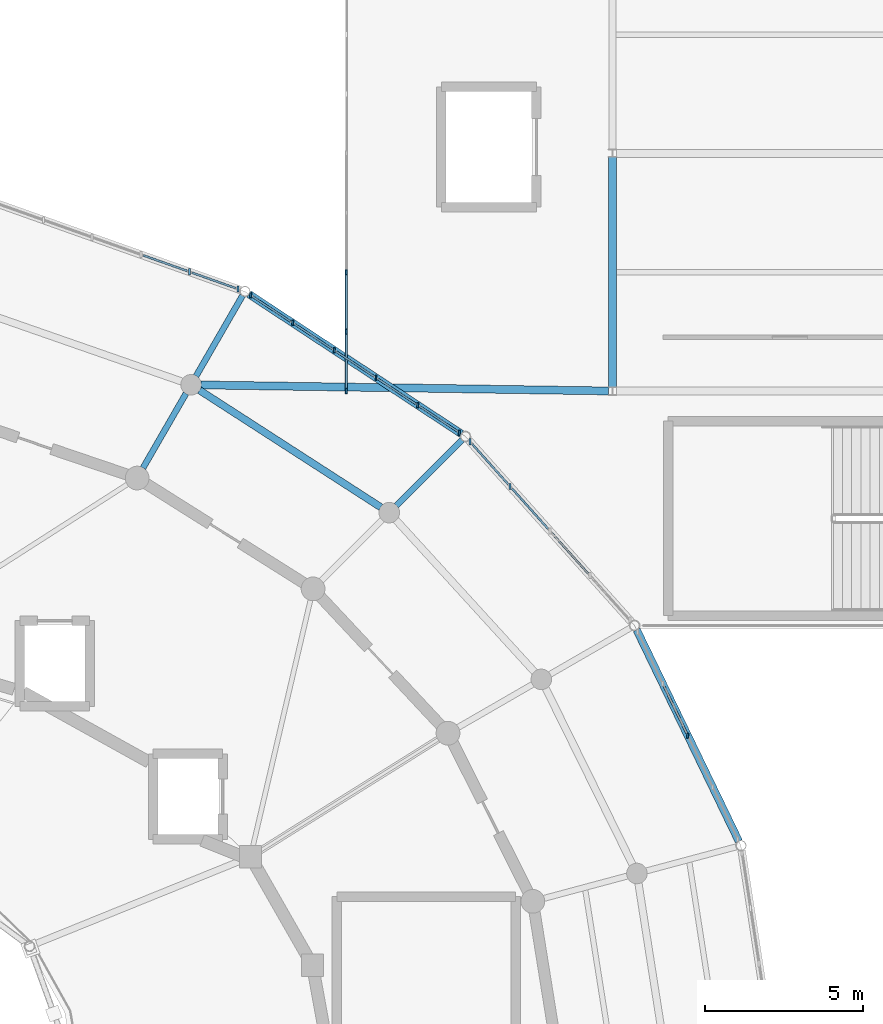
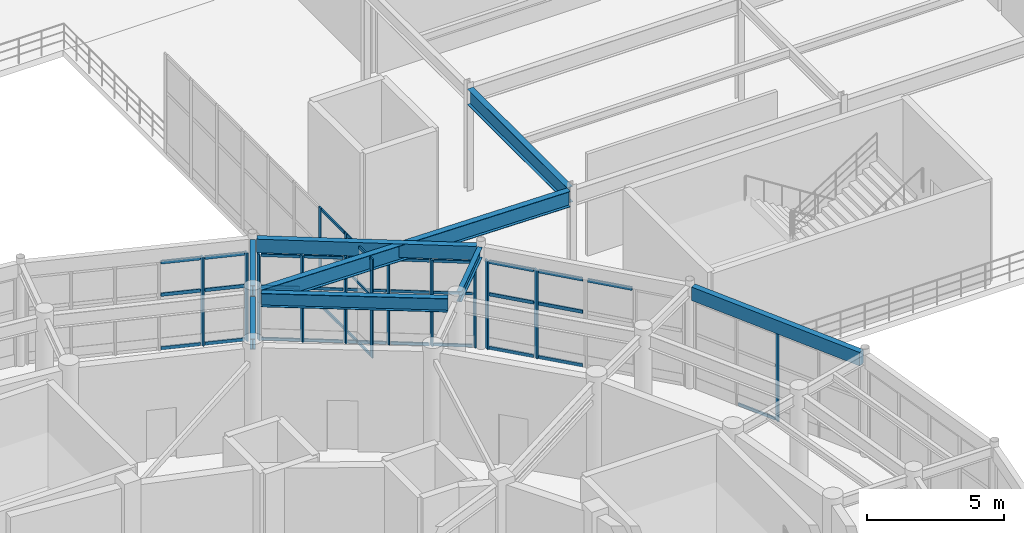
# One storey, part 75 of 144: 49 members, 8 beams, 5 elements without a shape of their own.
"""IFC4 building model written with IfcOpenShell, lengths in metres."""

from ifc_helpers import new_model, si_unit, direction, frame, origin, origin_2d, place, context, subcontext, project, spatial, rectangle, i_section, extrude, material, material_profile, profile_set, type_object, element, aggregate, save


model = new_model("IFC4")

# Units and contexts
model_context = context("Model", 3, precision=1e-05, world=origin(), true_north=direction((0.0, 1.0)))
body_context = subcontext(model_context, "Body", "Model", "MODEL_VIEW")
ifc_project = project(units=[si_unit("LENGTHUNIT", "METRE"), si_unit("AREAUNIT", "SQUARE_METRE"), si_unit("VOLUMEUNIT", "CUBIC_METRE"), si_unit("PLANEANGLEUNIT", "RADIAN"), si_unit("MASSUNIT", "GRAM", prefix="KILO")], contexts=[model_context])

# Site, building, storey
site_placement = place(None, origin())
site = spatial("IfcSite", under=ifc_project, at=site_placement, CompositionType="ELEMENT")
building_placement = place(site_placement, origin())
building = spatial("IfcBuilding", under=site, at=building_placement, Name="Cinderbank Siding Concert Hall", CompositionType="ELEMENT")
storey_placement = place(building_placement, frame((0.0, 0.0, 5.39990234375)))
storey = spatial("IfcBuildingStorey", under=building, at=storey_placement, Name="L02", CompositionType="ELEMENT", Elevation=5.39990234375)

# Beams
ifc_material_1 = material(Name="Structural steel AS/NZS 3679.1 Grade 350 (340 MPa)", Category="steel")
ifc_material_profile_1 = material_profile(ifc_material_1, i_section(OverallWidth=0.19091796875, OverallDepth=0.46044921875, WebThickness=0.010009765625, FlangeThickness=0.01611328125, at=origin_2d()), Name="460UB82.1", Category="LoadBearing")
ifc_profile_set_1 = profile_set([ifc_material_profile_1], Name="Structural steel AS/NZS 3679.1 Grade 350 (340 MPa)")
beam_type_1 = type_object("IfcBeamType", Name="BM-UB460H 460UB82.1", PredefinedType="BEAM", material=ifc_profile_set_1)
beam_1_placement = place(storey_placement, frame((135.58349609375, 63.370361328125, 4.2919921875), z_axis=(0.499987022033, 0.866032896488, 0.0), x_axis=(-0.866032896488, 0.499987022033, 0.0)))
element("IfcBeam", 1, at=beam_1_placement, inside=storey, type_object=beam_type_1, Name="L02 Beam BM-UB460H #502", PredefinedType="BEAM", context=body_context, shape_type="SweptSolid", body=[
    extrude(i_section(OverallWidth=0.19091796875, OverallDepth=0.46044921875, WebThickness=0.010009765625, FlangeThickness=0.01611328125, at=origin_2d()), origin(), (0.0, 0.0, 1.0), 2.7158203125),
])
for number, where, z_axis, x_axis, name in (
    (2, (143.578857421875, 62.184814453125, 4.331787109375), (0.707106781187, 0.707106781187, 0.0), (-0.707106781187, 0.707106781187, 0.0), "L02 Beam BM-UB460H #524"),
    (3, (137.258544921875, 66.271484375, 4.331787109375), (0.499958157915, 0.866049559976, 0.0), (-0.866049559976, 0.499958157915, 0.0), "L02 Beam BM-UB460H #525"),
):
    element("IfcBeam", number, at=place(storey_placement, frame(where, z_axis=z_axis, x_axis=x_axis)), inside=storey, type_object=beam_type_1, Name=name, PredefinedType="BEAM", context=body_context, shape_type="SweptSolid", body=[
        extrude(i_section(OverallWidth=0.19091796875, OverallDepth=0.46044921875, WebThickness=0.010009765625, FlangeThickness=0.01611328125, at=origin_2d()), origin(), (0.0, 0.0, 1.0), 2.928955078125),
    ])
ifc_material_profile_2 = material_profile(ifc_material_1, i_section(OverallWidth=0.22802734375, OverallDepth=0.60693359375, WebThickness=0.01123046875, FlangeThickness=0.017333984375, at=origin_2d()), Name="610UB113", Category="LoadBearing")
ifc_profile_set_2 = profile_set([ifc_material_profile_2], Name="Structural steel AS/NZS 3679.1 Grade 350 (340 MPa)")
beam_type_2 = type_object("IfcBeamType", Name="BM-UB610M 610UB113", PredefinedType="BEAM", material=ifc_profile_set_2)
beam_2_placement = place(storey_placement, frame((143.08837890625, 62.13232421875, 4.218505859375), z_axis=(-0.840219727246, 0.542246078775, 0.0), x_axis=(-0.542246078775, -0.840219727246, 0.0)))
element("IfcBeam", 4, at=beam_2_placement, inside=storey, type_object=beam_type_2, Name="L02 Beam BM-UB610M #443", PredefinedType="BEAM", context=body_context, shape_type="SweptSolid", body=[
    extrude(i_section(OverallWidth=0.22802734375, OverallDepth=0.60693359375, WebThickness=0.01123046875, FlangeThickness=0.017333984375, at=origin_2d()), origin(), (0.0, 0.0, 1.0), 6.810302734375),
])
ifc_material_2 = material(Name="Structural steel welded plate section AS/NZS 3679.2 / AS/NZS 3678 Grade 350 (340 MPa)", Category="steel")
ifc_material_profile_3 = material_profile(ifc_material_2, i_section(OverallWidth=0.25, OverallDepth=0.699951171875, WebThickness=0.010009765625, FlangeThickness=0.01611328125, at=origin_2d()), Name="700WB130", Category="LoadBearing")
ifc_profile_set_3 = profile_set([ifc_material_profile_3], Name="Structural steel welded plate section AS/NZS 3679.2 / AS/NZS 3678 Grade 350 (340 MPa)")
beam_type_3 = type_object("IfcBeamType", Name="BM-WB700 700WB130", PredefinedType="BEAM", material=ifc_profile_set_3)
beam_3_placement = place(storey_placement, frame((137.4169921875, 65.9921875, 4.2021484375), z_axis=(0.99989044935, -0.014801665379, 0.0), x_axis=(0.014801665379, 0.99989044935, 0.0)))
element("IfcBeam", 5, at=beam_3_placement, inside=storey, type_object=beam_type_3, Name="L02 Beam BM-WB700 #1487", PredefinedType="BEAM", context=body_context, shape_type="SweptSolid", body=[
    extrude(i_section(OverallWidth=0.25, OverallDepth=0.699951171875, WebThickness=0.010009765625, FlangeThickness=0.01611328125, at=origin_2d()), origin(), (0.0, 0.0, 1.0), 12.865478515625),
])
beam_4_placement = place(storey_placement, frame((150.39990234375, 65.9189453125, 4.2021484375), z_axis=(0.0, 1.0, 0.0), x_axis=(-1.0, 0.0, 0.0)))
element("IfcBeam", 6, at=beam_4_placement, inside=storey, type_object=beam_type_3, Name="L02 Beam BM-WB700 #1620", PredefinedType="BEAM", context=body_context, shape_type="SweptSolid", body=[
    extrude(i_section(OverallWidth=0.25, OverallDepth=0.699951171875, WebThickness=0.010009765625, FlangeThickness=0.01611328125, at=origin_2d()), origin(), (0.0, 0.0, 1.0), 7.261962890625),
])

# Curtain wall, member
ifc_material_3 = material(Name="Anodised aluminium alloy 6063-T6", Category="aluminium")
curtain_wall_type_1 = type_object("IfcCurtainWallType", Name="CW-02 Unitised Acoustic Curtain Wall 7800x4400", PredefinedType="NOTDEFINED", material=ifc_material_3)
curtain_wall_1_placement = place(storey_placement, origin())
curtain_wall_1 = element("IfcCurtainWall", 7, at=curtain_wall_1_placement, inside=storey, type_object=curtain_wall_type_1, Name="L02 Curtain Wall CW-02 #2", PredefinedType="NOTDEFINED")
ifc_material_profile_4 = material_profile(ifc_material_3, rectangle(XDim=0.06005859375, YDim=0.159912109375, at=origin_2d()), Name="ALU-MULL-60x160", Category="LoadBearing")
ifc_profile_set_4 = profile_set([ifc_material_profile_4], Name="Anodised aluminium alloy 6063-T6")
member_type_1 = type_object("IfcMemberType", Name="CW-ML1 Mullion 60x160", PredefinedType="MULLION", material=ifc_profile_set_4)
member_1_placement = place(storey_placement, frame((152.77685546875, 54.927001953125, 0.0), z_axis=(0.0, 0.0, 1.0), x_axis=(1.0, 0.0, 0.0)))
member_1 = element("IfcMember", 8, at=member_1_placement, type_object=member_type_1, Name="CW-L02-002 Mullion 2", PredefinedType="MULLION", context=body_context, shape_type="SweptSolid", body=[
    extrude(rectangle(XDim=0.06005859375, YDim=0.159912109375, at=origin_2d()), origin(), (0.0, 0.0, 1.0), 3.93701171875),
])

# Curtain wall, members
curtain_wall_type_2 = type_object("IfcCurtainWallType", Name="CW-04 Unitised Acoustic Curtain Wall 7000x4400", PredefinedType="NOTDEFINED", material=ifc_material_3)
curtain_wall_2_placement = place(storey_placement, origin())
curtain_wall_2 = element("IfcCurtainWall", 9, at=curtain_wall_2_placement, inside=storey, type_object=curtain_wall_type_2, Name="L02 Curtain Wall CW-04 #4", PredefinedType="NOTDEFINED")
member_2_placement = place(storey_placement, frame((145.569091796875, 64.489501953125, 0.0), z_axis=(0.0, 0.0, 1.0), x_axis=(1.0, 0.0, 0.0)))
member_2 = element("IfcMember", 10, at=member_2_placement, type_object=member_type_1, Name="CW-L02-004 Mullion 0", PredefinedType="MULLION", context=body_context, shape_type="SweptSolid", body=[
    extrude(rectangle(XDim=0.06005859375, YDim=0.159912109375, at=origin_2d()), origin(), (0.0, 0.0, 1.0), 3.837158203125),
])
member_3_placement = place(storey_placement, frame((144.25341796875, 65.35498046875, 0.0), z_axis=(0.0, 0.0, 1.0), x_axis=(1.0, 0.0, 0.0)))
member_3 = element("IfcMember", 11, at=member_3_placement, type_object=member_type_1, Name="CW-L02-004 Mullion 1", PredefinedType="MULLION", context=body_context, shape_type="SweptSolid", body=[
    extrude(rectangle(XDim=0.06005859375, YDim=0.159912109375, at=origin_2d()), origin(), (0.0, 0.0, 1.0), 3.837158203125),
])
member_4_placement = place(storey_placement, frame((142.9375, 66.220458984375, 0.0), z_axis=(0.0, 0.0, 1.0), x_axis=(1.0, 0.0, 0.0)))
member_4 = element("IfcMember", 12, at=member_4_placement, type_object=member_type_1, Name="CW-L02-004 Mullion 2", PredefinedType="MULLION", context=body_context, shape_type="SweptSolid", body=[
    extrude(rectangle(XDim=0.06005859375, YDim=0.159912109375, at=origin_2d()), origin(), (0.0, 0.0, 1.0), 3.837158203125),
])
member_5_placement = place(storey_placement, frame((141.621337890625, 67.085693359375, 0.0), z_axis=(0.0, 0.0, 1.0), x_axis=(1.0, 0.0, 0.0)))
member_5 = element("IfcMember", 13, at=member_5_placement, type_object=member_type_1, Name="CW-L02-004 Mullion 3", PredefinedType="MULLION", context=body_context, shape_type="SweptSolid", body=[
    extrude(rectangle(XDim=0.06005859375, YDim=0.159912109375, at=origin_2d()), origin(), (0.0, 0.0, 1.0), 3.837158203125),
])
member_6_placement = place(storey_placement, frame((140.305419921875, 67.951416015625, 0.0), z_axis=(0.0, 0.0, 1.0), x_axis=(1.0, 0.0, 0.0)))
member_6 = element("IfcMember", 14, at=member_6_placement, type_object=member_type_1, Name="CW-L02-004 Mullion 4", PredefinedType="MULLION", context=body_context, shape_type="SweptSolid", body=[
    extrude(rectangle(XDim=0.06005859375, YDim=0.159912109375, at=origin_2d()), origin(), (0.0, 0.0, 1.0), 3.837158203125),
])
member_7_placement = place(storey_placement, frame((138.989501953125, 68.81689453125, 0.0), z_axis=(0.0, 0.0, 1.0), x_axis=(1.0, 0.0, 0.0)))
member_7 = element("IfcMember", 15, at=member_7_placement, type_object=member_type_1, Name="CW-L02-004 Mullion 5", PredefinedType="MULLION", context=body_context, shape_type="SweptSolid", body=[
    extrude(rectangle(XDim=0.06005859375, YDim=0.159912109375, at=origin_2d()), origin(), (0.0, 0.0, 1.0), 3.837158203125),
])

curtain_wall_type_3 = type_object("IfcCurtainWallType", Name="CW-16 Unitised Acoustic Curtain Wall 9200x3800", PredefinedType="NOTDEFINED", material=ifc_material_3)
curtain_wall_3_placement = place(storey_placement, origin())
curtain_wall_3 = element("IfcCurtainWall", 16, at=curtain_wall_3_placement, inside=storey, type_object=curtain_wall_type_3, Name="L02 Curtain Wall CW-16 #146", PredefinedType="NOTDEFINED")
member_8_placement = place(storey_placement, frame((142.0, 65.800048828125, 0.0), z_axis=(0.0, 0.0, 1.0), x_axis=(1.0, 0.0, 0.0)))
member_8 = element("IfcMember", 17, at=member_8_placement, type_object=member_type_1, Name="CW-L02-146 Mullion 0", PredefinedType="MULLION", context=body_context, shape_type="SweptSolid", body=[
    extrude(rectangle(XDim=0.06005859375, YDim=0.159912109375, at=origin_2d()), origin(), (0.0, 0.0, 1.0), 4.400146484375),
])
member_9_placement = place(storey_placement, frame((142.0, 67.675048828125, 0.0), z_axis=(0.0, 0.0, 1.0), x_axis=(1.0, 0.0, 0.0)))
member_9 = element("IfcMember", 18, at=member_9_placement, type_object=member_type_1, Name="CW-L02-146 Mullion 1", PredefinedType="MULLION", context=body_context, shape_type="SweptSolid", body=[
    extrude(rectangle(XDim=0.06005859375, YDim=0.159912109375, at=origin_2d()), origin(), (0.0, 0.0, 1.0), 4.400146484375),
])
member_10_placement = place(storey_placement, frame((142.0, 69.550048828125, 0.0), z_axis=(0.0, 0.0, 1.0), x_axis=(1.0, 0.0, 0.0)))
member_10 = element("IfcMember", 19, at=member_10_placement, type_object=member_type_1, Name="CW-L02-146 Mullion 2", PredefinedType="MULLION", context=body_context, shape_type="SweptSolid", body=[
    extrude(rectangle(XDim=0.06005859375, YDim=0.159912109375, at=origin_2d()), origin(), (0.0, 0.0, 1.0), 4.400146484375),
])

curtain_wall_type_4 = type_object("IfcCurtainWallType", Name="CW-03 Unitised Acoustic Curtain Wall 7400x4400", PredefinedType="NOTDEFINED", material=ifc_material_3)
curtain_wall_4_placement = place(storey_placement, origin())
curtain_wall_4 = element("IfcCurtainWall", 20, at=curtain_wall_4_placement, inside=storey, type_object=curtain_wall_type_4, Name="L02 Curtain Wall CW-03 #3", PredefinedType="NOTDEFINED")
ifc_material_profile_5 = material_profile(ifc_material_3, rectangle(XDim=0.06494140625, YDim=0.199951171875, at=origin_2d()), Name="ALU-MULL-65x200", Category="LoadBearing")
ifc_profile_set_5 = profile_set([ifc_material_profile_5], Name="Anodised aluminium alloy 6063-T6")
member_type_2 = type_object("IfcMemberType", Name="CW-ML2 Mullion 65x200", PredefinedType="MULLION", material=ifc_profile_set_5)
member_11_placement = place(storey_placement, frame((147.16943359375, 62.7890625, 0.0), z_axis=(0.0, 0.0, 1.0), x_axis=(1.0, 0.0, 0.0)))
member_11 = element("IfcMember", 21, at=member_11_placement, type_object=member_type_2, Name="CW-L02-003 Mullion 3", PredefinedType="MULLION", context=body_context, shape_type="SweptSolid", body=[
    extrude(rectangle(XDim=0.06494140625, YDim=0.199951171875, at=origin_2d()), origin(), (0.0, 0.0, 1.0), 3.93701171875),
])
member_12_placement = place(storey_placement, frame((145.91015625, 64.195556640625, 0.0), z_axis=(0.0, 0.0, 1.0), x_axis=(1.0, 0.0, 0.0)))
member_12 = element("IfcMember", 22, at=member_12_placement, type_object=member_type_2, Name="CW-L02-003 Mullion 4", PredefinedType="MULLION", context=body_context, shape_type="SweptSolid", body=[
    extrude(rectangle(XDim=0.06494140625, YDim=0.199951171875, at=origin_2d()), origin(), (0.0, 0.0, 1.0), 3.93701171875),
])

curtain_wall_type_5 = type_object("IfcCurtainWallType", Name="CW-05 Unitised Acoustic Curtain Wall 8200x3800", PredefinedType="NOTDEFINED", material=ifc_material_3)
curtain_wall_5_placement = place(storey_placement, origin())
curtain_wall_5 = element("IfcCurtainWall", 23, at=curtain_wall_5_placement, inside=storey, type_object=curtain_wall_type_5, Name="L02 Curtain Wall CW-05 #5", PredefinedType="NOTDEFINED")
member_13_placement = place(storey_placement, frame((138.586181640625, 69.017333984375, 0.0), z_axis=(0.0, 0.0, 1.0), x_axis=(1.0, 0.0, 0.0)))
member_13 = element("IfcMember", 24, at=member_13_placement, type_object=member_type_2, Name="CW-L02-005 Mullion 0", PredefinedType="MULLION", context=body_context, shape_type="SweptSolid", body=[
    extrude(rectangle(XDim=0.06494140625, YDim=0.199951171875, at=origin_2d()), origin(), (0.0, 0.0, 1.0), 3.93701171875),
])
member_14_placement = place(storey_placement, frame((137.05078125, 69.5625, 0.0), z_axis=(0.0, 0.0, 1.0), x_axis=(1.0, 0.0, 0.0)))
member_14 = element("IfcMember", 25, at=member_14_placement, type_object=member_type_2, Name="CW-L02-005 Mullion 1", PredefinedType="MULLION", context=body_context, shape_type="SweptSolid", body=[
    extrude(rectangle(XDim=0.06494140625, YDim=0.199951171875, at=origin_2d()), origin(), (0.0, 0.0, 1.0), 3.93701171875),
])

# Member
ifc_material_profile_6 = material_profile(ifc_material_3, rectangle(XDim=0.06005859375, YDim=0.1201171875, at=origin_2d()), Name="ALU-TRAN-60x120", Category="LoadBearing")
ifc_profile_set_6 = profile_set([ifc_material_profile_6], Name="Anodised aluminium alloy 6063-T6")
member_type_3 = type_object("IfcMemberType", Name="CW-TR1 Transom 60x120", PredefinedType="USERDEFINED", material=ifc_profile_set_6)
member_15_placement = place(storey_placement, frame((152.7373046875, 55.0087890625, 0.06005859375), z_axis=(-0.435095962233, 0.900384086737, 0.0), x_axis=(-0.900384086737, -0.435095962233, 0.0)))
member_15 = element("IfcMember", 26, at=member_15_placement, type_object=member_type_3, Name="CW-L02-002 Transom 2-0", ObjectType="TRANSOM", PredefinedType="USERDEFINED", context=body_context, shape_type="SweptSolid", body=[
    extrude(rectangle(XDim=0.06005859375, YDim=0.1201171875, at=origin_2d()), origin(), (0.0, 0.0, 1.0), 1.63330078125),
])

aggregate(curtain_wall_1, [member_1, member_15])

member_16_placement = place(storey_placement, frame((145.50341796875, 64.53271484375, 0.06005859375), z_axis=(-0.835531529407, 0.549442502331, 0.0), x_axis=(-0.549442502331, -0.835531529407, 0.0)))
member_16 = element("IfcMember", 27, at=member_16_placement, type_object=member_type_3, Name="CW-L02-004 Transom 0-0", ObjectType="TRANSOM", PredefinedType="USERDEFINED", context=body_context, shape_type="SweptSolid", body=[
    extrude(rectangle(XDim=0.06005859375, YDim=0.1201171875, at=origin_2d()), origin(), (0.0, 0.0, 1.0), 1.41748046875),
])

member_17_placement = place(storey_placement, frame((145.50341796875, 64.53271484375, 2.37890625), z_axis=(-0.835531529407, 0.549442502331, 0.0), x_axis=(-0.549442502331, -0.835531529407, 0.0)))
member_17 = element("IfcMember", 28, at=member_17_placement, type_object=member_type_3, Name="CW-L02-004 Transom 0-1", ObjectType="TRANSOM", PredefinedType="USERDEFINED", context=body_context, shape_type="SweptSolid", body=[
    extrude(rectangle(XDim=0.06005859375, YDim=0.1201171875, at=origin_2d()), origin(), (0.0, 0.0, 1.0), 1.41748046875),
])

member_18_placement = place(storey_placement, frame((145.50341796875, 64.53271484375, 3.777099609375), z_axis=(-0.835531529407, 0.549442502331, 0.0), x_axis=(-0.549442502331, -0.835531529407, 0.0)))
member_18 = element("IfcMember", 29, at=member_18_placement, type_object=member_type_3, Name="CW-L02-004 Transom 0-2", ObjectType="TRANSOM", PredefinedType="USERDEFINED", context=body_context, shape_type="SweptSolid", body=[
    extrude(rectangle(XDim=0.06005859375, YDim=0.1201171875, at=origin_2d()), origin(), (0.0, 0.0, 1.0), 1.41748046875),
])

member_19_placement = place(storey_placement, frame((144.1875, 65.398193359375, 0.06005859375), z_axis=(-0.835531529407, 0.549442502331, 0.0), x_axis=(-0.549442502331, -0.835531529407, 0.0)))
member_19 = element("IfcMember", 30, at=member_19_placement, type_object=member_type_3, Name="CW-L02-004 Transom 1-0", ObjectType="TRANSOM", PredefinedType="USERDEFINED", context=body_context, shape_type="SweptSolid", body=[
    extrude(rectangle(XDim=0.06005859375, YDim=0.1201171875, at=origin_2d()), origin(), (0.0, 0.0, 1.0), 1.41748046875),
])

member_20_placement = place(storey_placement, frame((144.1875, 65.398193359375, 2.37890625), z_axis=(-0.835531529407, 0.549442502331, 0.0), x_axis=(-0.549442502331, -0.835531529407, 0.0)))
member_20 = element("IfcMember", 31, at=member_20_placement, type_object=member_type_3, Name="CW-L02-004 Transom 1-1", ObjectType="TRANSOM", PredefinedType="USERDEFINED", context=body_context, shape_type="SweptSolid", body=[
    extrude(rectangle(XDim=0.06005859375, YDim=0.1201171875, at=origin_2d()), origin(), (0.0, 0.0, 1.0), 1.41748046875),
])

member_21_placement = place(storey_placement, frame((144.1875, 65.398193359375, 3.777099609375), z_axis=(-0.835531529407, 0.549442502331, 0.0), x_axis=(-0.549442502331, -0.835531529407, 0.0)))
member_21 = element("IfcMember", 32, at=member_21_placement, type_object=member_type_3, Name="CW-L02-004 Transom 1-2", ObjectType="TRANSOM", PredefinedType="USERDEFINED", context=body_context, shape_type="SweptSolid", body=[
    extrude(rectangle(XDim=0.06005859375, YDim=0.1201171875, at=origin_2d()), origin(), (0.0, 0.0, 1.0), 1.41748046875),
])

member_22_placement = place(storey_placement, frame((142.87158203125, 66.263671875, 0.06005859375), z_axis=(-0.835531529407, 0.549442502331, 0.0), x_axis=(-0.549442502331, -0.835531529407, 0.0)))
member_22 = element("IfcMember", 33, at=member_22_placement, type_object=member_type_3, Name="CW-L02-004 Transom 2-0", ObjectType="TRANSOM", PredefinedType="USERDEFINED", context=body_context, shape_type="SweptSolid", body=[
    extrude(rectangle(XDim=0.06005859375, YDim=0.1201171875, at=origin_2d()), origin(), (0.0, 0.0, 1.0), 1.41748046875),
])

member_23_placement = place(storey_placement, frame((142.87158203125, 66.263671875, 2.37890625), z_axis=(-0.835531529407, 0.549442502331, 0.0), x_axis=(-0.549442502331, -0.835531529407, 0.0)))
member_23 = element("IfcMember", 34, at=member_23_placement, type_object=member_type_3, Name="CW-L02-004 Transom 2-1", ObjectType="TRANSOM", PredefinedType="USERDEFINED", context=body_context, shape_type="SweptSolid", body=[
    extrude(rectangle(XDim=0.06005859375, YDim=0.1201171875, at=origin_2d()), origin(), (0.0, 0.0, 1.0), 1.41748046875),
])

member_24_placement = place(storey_placement, frame((142.87158203125, 66.263671875, 3.777099609375), z_axis=(-0.835531529407, 0.549442502331, 0.0), x_axis=(-0.549442502331, -0.835531529407, 0.0)))
member_24 = element("IfcMember", 35, at=member_24_placement, type_object=member_type_3, Name="CW-L02-004 Transom 2-2", ObjectType="TRANSOM", PredefinedType="USERDEFINED", context=body_context, shape_type="SweptSolid", body=[
    extrude(rectangle(XDim=0.06005859375, YDim=0.1201171875, at=origin_2d()), origin(), (0.0, 0.0, 1.0), 1.41748046875),
])

member_25_placement = place(storey_placement, frame((141.5556640625, 67.129150390625, 0.06005859375), z_axis=(-0.835531529407, 0.549442502331, 0.0), x_axis=(-0.549442502331, -0.835531529407, 0.0)))
member_25 = element("IfcMember", 36, at=member_25_placement, type_object=member_type_3, Name="CW-L02-004 Transom 3-0", ObjectType="TRANSOM", PredefinedType="USERDEFINED", context=body_context, shape_type="SweptSolid", body=[
    extrude(rectangle(XDim=0.06005859375, YDim=0.1201171875, at=origin_2d()), origin(), (0.0, 0.0, 1.0), 1.41748046875),
])

member_26_placement = place(storey_placement, frame((141.5556640625, 67.129150390625, 2.37890625), z_axis=(-0.835531529407, 0.549442502331, 0.0), x_axis=(-0.549442502331, -0.835531529407, 0.0)))
member_26 = element("IfcMember", 37, at=member_26_placement, type_object=member_type_3, Name="CW-L02-004 Transom 3-1", ObjectType="TRANSOM", PredefinedType="USERDEFINED", context=body_context, shape_type="SweptSolid", body=[
    extrude(rectangle(XDim=0.06005859375, YDim=0.1201171875, at=origin_2d()), origin(), (0.0, 0.0, 1.0), 1.41748046875),
])

member_27_placement = place(storey_placement, frame((141.5556640625, 67.129150390625, 3.777099609375), z_axis=(-0.835531529407, 0.549442502331, 0.0), x_axis=(-0.549442502331, -0.835531529407, 0.0)))
member_27 = element("IfcMember", 38, at=member_27_placement, type_object=member_type_3, Name="CW-L02-004 Transom 3-2", ObjectType="TRANSOM", PredefinedType="USERDEFINED", context=body_context, shape_type="SweptSolid", body=[
    extrude(rectangle(XDim=0.06005859375, YDim=0.1201171875, at=origin_2d()), origin(), (0.0, 0.0, 1.0), 1.41748046875),
])

member_28_placement = place(storey_placement, frame((140.23974609375, 67.99462890625, 0.06005859375), z_axis=(-0.835531529407, 0.549442502331, 0.0), x_axis=(-0.549442502331, -0.835531529407, 0.0)))
member_28 = element("IfcMember", 39, at=member_28_placement, type_object=member_type_3, Name="CW-L02-004 Transom 4-0", ObjectType="TRANSOM", PredefinedType="USERDEFINED", context=body_context, shape_type="SweptSolid", body=[
    extrude(rectangle(XDim=0.06005859375, YDim=0.1201171875, at=origin_2d()), origin(), (0.0, 0.0, 1.0), 1.41748046875),
])

member_29_placement = place(storey_placement, frame((140.23974609375, 67.99462890625, 2.37890625), z_axis=(-0.835531529407, 0.549442502331, 0.0), x_axis=(-0.549442502331, -0.835531529407, 0.0)))
member_29 = element("IfcMember", 40, at=member_29_placement, type_object=member_type_3, Name="CW-L02-004 Transom 4-1", ObjectType="TRANSOM", PredefinedType="USERDEFINED", context=body_context, shape_type="SweptSolid", body=[
    extrude(rectangle(XDim=0.06005859375, YDim=0.1201171875, at=origin_2d()), origin(), (0.0, 0.0, 1.0), 1.41748046875),
])

member_30_placement = place(storey_placement, frame((140.23974609375, 67.99462890625, 3.777099609375), z_axis=(-0.835531529407, 0.549442502331, 0.0), x_axis=(-0.549442502331, -0.835531529407, 0.0)))
member_30 = element("IfcMember", 41, at=member_30_placement, type_object=member_type_3, Name="CW-L02-004 Transom 4-2", ObjectType="TRANSOM", PredefinedType="USERDEFINED", context=body_context, shape_type="SweptSolid", body=[
    extrude(rectangle(XDim=0.06005859375, YDim=0.1201171875, at=origin_2d()), origin(), (0.0, 0.0, 1.0), 1.41748046875),
])

aggregate(curtain_wall_2, [member_2, member_3, member_4, member_5, member_6, member_7, member_16, member_17, member_18, member_19, member_20, member_21, member_22, member_23, member_24, member_25, member_26, member_27, member_28, member_29, member_30])

member_31_placement = place(storey_placement, frame((142.0, 65.893798828125, 0.06005859375), z_axis=(0.0, 1.0, 0.0), x_axis=(-1.0, 0.0, 0.0)))
member_31 = element("IfcMember", 42, at=member_31_placement, type_object=member_type_3, Name="CW-L02-146 Transom 0-0", ObjectType="TRANSOM", PredefinedType="USERDEFINED", context=body_context, shape_type="SweptSolid", body=[
    extrude(rectangle(XDim=0.06005859375, YDim=0.1201171875, at=origin_2d()), origin(), (0.0, 0.0, 1.0), 1.6875),
])

member_32_placement = place(storey_placement, frame((142.0, 65.893798828125, 2.72802734375), z_axis=(0.0, 1.0, 0.0), x_axis=(-1.0, 0.0, 0.0)))
member_32 = element("IfcMember", 43, at=member_32_placement, type_object=member_type_3, Name="CW-L02-146 Transom 0-1", ObjectType="TRANSOM", PredefinedType="USERDEFINED", context=body_context, shape_type="SweptSolid", body=[
    extrude(rectangle(XDim=0.06005859375, YDim=0.1201171875, at=origin_2d()), origin(), (0.0, 0.0, 1.0), 1.6875),
])

member_33_placement = place(storey_placement, frame((142.0, 65.893798828125, 4.340087890625), z_axis=(0.0, 1.0, 0.0), x_axis=(-1.0, 0.0, 0.0)))
member_33 = element("IfcMember", 44, at=member_33_placement, type_object=member_type_3, Name="CW-L02-146 Transom 0-2", ObjectType="TRANSOM", PredefinedType="USERDEFINED", context=body_context, shape_type="SweptSolid", body=[
    extrude(rectangle(XDim=0.06005859375, YDim=0.1201171875, at=origin_2d()), origin(), (0.0, 0.0, 1.0), 1.6875),
])

member_34_placement = place(storey_placement, frame((142.0, 67.768798828125, 0.06005859375), z_axis=(0.0, 1.0, 0.0), x_axis=(-1.0, 0.0, 0.0)))
member_34 = element("IfcMember", 45, at=member_34_placement, type_object=member_type_3, Name="CW-L02-146 Transom 1-0", ObjectType="TRANSOM", PredefinedType="USERDEFINED", context=body_context, shape_type="SweptSolid", body=[
    extrude(rectangle(XDim=0.06005859375, YDim=0.1201171875, at=origin_2d()), origin(), (0.0, 0.0, 1.0), 1.6875),
])

member_35_placement = place(storey_placement, frame((142.0, 67.768798828125, 2.72802734375), z_axis=(0.0, 1.0, 0.0), x_axis=(-1.0, 0.0, 0.0)))
member_35 = element("IfcMember", 46, at=member_35_placement, type_object=member_type_3, Name="CW-L02-146 Transom 1-1", ObjectType="TRANSOM", PredefinedType="USERDEFINED", context=body_context, shape_type="SweptSolid", body=[
    extrude(rectangle(XDim=0.06005859375, YDim=0.1201171875, at=origin_2d()), origin(), (0.0, 0.0, 1.0), 1.6875),
])

member_36_placement = place(storey_placement, frame((142.0, 67.768798828125, 4.340087890625), z_axis=(0.0, 1.0, 0.0), x_axis=(-1.0, 0.0, 0.0)))
member_36 = element("IfcMember", 47, at=member_36_placement, type_object=member_type_3, Name="CW-L02-146 Transom 1-2", ObjectType="TRANSOM", PredefinedType="USERDEFINED", context=body_context, shape_type="SweptSolid", body=[
    extrude(rectangle(XDim=0.06005859375, YDim=0.1201171875, at=origin_2d()), origin(), (0.0, 0.0, 1.0), 1.6875),
])

aggregate(curtain_wall_3, [member_8, member_9, member_10, member_31, member_32, member_33, member_34, member_35, member_36])

ifc_material_profile_7 = material_profile(ifc_material_3, rectangle(XDim=0.06494140625, YDim=0.14990234375, at=origin_2d()), Name="ALU-TRAN-65x150", Category="LoadBearing")
ifc_profile_set_7 = profile_set([ifc_material_profile_7], Name="Anodised aluminium alloy 6063-T6")
member_type_4 = type_object("IfcMemberType", Name="CW-TR2 Transom 65x150", PredefinedType="USERDEFINED", material=ifc_profile_set_7)
member_37_placement = place(storey_placement, frame((149.625, 60.046142578125, 3.877197265625), z_axis=(-0.667017441515, 0.745042101304, 0.0), x_axis=(-0.745042101304, -0.667017441515, 0.0)))
member_37 = element("IfcMember", 48, at=member_37_placement, type_object=member_type_4, Name="CW-L02-003 Transom 1-2", ObjectType="TRANSOM", PredefinedType="USERDEFINED", context=body_context, shape_type="SweptSolid", body=[
    extrude(rectangle(XDim=0.06494140625, YDim=0.14990234375, at=origin_2d()), origin(), (0.0, 0.0, 1.0), 1.698974609375),
])

member_38_placement = place(storey_placement, frame((148.36572265625, 61.45263671875, 0.06005859375), z_axis=(-0.667017441515, 0.745042101304, 0.0), x_axis=(-0.745042101304, -0.667017441515, 0.0)))
member_38 = element("IfcMember", 49, at=member_38_placement, type_object=member_type_4, Name="CW-L02-003 Transom 2-0", ObjectType="TRANSOM", PredefinedType="USERDEFINED", context=body_context, shape_type="SweptSolid", body=[
    extrude(rectangle(XDim=0.06494140625, YDim=0.14990234375, at=origin_2d()), origin(), (0.0, 0.0, 1.0), 1.698974609375),
])

member_39_placement = place(storey_placement, frame((148.36572265625, 61.45263671875, 2.44091796875), z_axis=(-0.667017441515, 0.745042101304, 0.0), x_axis=(-0.745042101304, -0.667017441515, 0.0)))
member_39 = element("IfcMember", 50, at=member_39_placement, type_object=member_type_4, Name="CW-L02-003 Transom 2-1", ObjectType="TRANSOM", PredefinedType="USERDEFINED", context=body_context, shape_type="SweptSolid", body=[
    extrude(rectangle(XDim=0.06494140625, YDim=0.14990234375, at=origin_2d()), origin(), (0.0, 0.0, 1.0), 1.698974609375),
])

member_40_placement = place(storey_placement, frame((148.36572265625, 61.45263671875, 3.877197265625), z_axis=(-0.667017441515, 0.745042101304, 0.0), x_axis=(-0.745042101304, -0.667017441515, 0.0)))
member_40 = element("IfcMember", 51, at=member_40_placement, type_object=member_type_4, Name="CW-L02-003 Transom 2-2", ObjectType="TRANSOM", PredefinedType="USERDEFINED", context=body_context, shape_type="SweptSolid", body=[
    extrude(rectangle(XDim=0.06494140625, YDim=0.14990234375, at=origin_2d()), origin(), (0.0, 0.0, 1.0), 1.698974609375),
])

member_41_placement = place(storey_placement, frame((147.1064453125, 62.859375, 0.06005859375), z_axis=(-0.667017441515, 0.745042101304, 0.0), x_axis=(-0.745042101304, -0.667017441515, 0.0)))
member_41 = element("IfcMember", 52, at=member_41_placement, type_object=member_type_4, Name="CW-L02-003 Transom 3-0", ObjectType="TRANSOM", PredefinedType="USERDEFINED", context=body_context, shape_type="SweptSolid", body=[
    extrude(rectangle(XDim=0.06494140625, YDim=0.14990234375, at=origin_2d()), origin(), (0.0, 0.0, 1.0), 1.698974609375),
])

member_42_placement = place(storey_placement, frame((147.1064453125, 62.859375, 2.44091796875), z_axis=(-0.667017441515, 0.745042101304, 0.0), x_axis=(-0.745042101304, -0.667017441515, 0.0)))
member_42 = element("IfcMember", 53, at=member_42_placement, type_object=member_type_4, Name="CW-L02-003 Transom 3-1", ObjectType="TRANSOM", PredefinedType="USERDEFINED", context=body_context, shape_type="SweptSolid", body=[
    extrude(rectangle(XDim=0.06494140625, YDim=0.14990234375, at=origin_2d()), origin(), (0.0, 0.0, 1.0), 1.698974609375),
])

member_43_placement = place(storey_placement, frame((147.1064453125, 62.859375, 3.877197265625), z_axis=(-0.667017441515, 0.745042101304, 0.0), x_axis=(-0.745042101304, -0.667017441515, 0.0)))
member_43 = element("IfcMember", 54, at=member_43_placement, type_object=member_type_4, Name="CW-L02-003 Transom 3-2", ObjectType="TRANSOM", PredefinedType="USERDEFINED", context=body_context, shape_type="SweptSolid", body=[
    extrude(rectangle(XDim=0.06494140625, YDim=0.14990234375, at=origin_2d()), origin(), (0.0, 0.0, 1.0), 1.698974609375),
])

aggregate(curtain_wall_4, [member_11, member_12, member_37, member_38, member_39, member_40, member_41, member_42, member_43])

member_44_placement = place(storey_placement, frame((138.509521484375, 69.044677734375, 0.06005859375), z_axis=(-0.942395579657, 0.334500480482, 0.0), x_axis=(-0.334500480482, -0.942395579657, 0.0)))
member_44 = element("IfcMember", 55, at=member_44_placement, type_object=member_type_4, Name="CW-L02-005 Transom 0-0", ObjectType="TRANSOM", PredefinedType="USERDEFINED", context=body_context, shape_type="SweptSolid", body=[
    extrude(rectangle(XDim=0.06494140625, YDim=0.14990234375, at=origin_2d()), origin(), (0.0, 0.0, 1.0), 1.46630859375),
])

member_45_placement = place(storey_placement, frame((138.509521484375, 69.044677734375, 2.44091796875), z_axis=(-0.942395579657, 0.334500480482, 0.0), x_axis=(-0.334500480482, -0.942395579657, 0.0)))
member_45 = element("IfcMember", 56, at=member_45_placement, type_object=member_type_4, Name="CW-L02-005 Transom 0-1", ObjectType="TRANSOM", PredefinedType="USERDEFINED", context=body_context, shape_type="SweptSolid", body=[
    extrude(rectangle(XDim=0.06494140625, YDim=0.14990234375, at=origin_2d()), origin(), (0.0, 0.0, 1.0), 1.46630859375),
])

member_46_placement = place(storey_placement, frame((138.509521484375, 69.044677734375, 3.877197265625), z_axis=(-0.942395579657, 0.334500480482, 0.0), x_axis=(-0.334500480482, -0.942395579657, 0.0)))
member_46 = element("IfcMember", 57, at=member_46_placement, type_object=member_type_4, Name="CW-L02-005 Transom 0-2", ObjectType="TRANSOM", PredefinedType="USERDEFINED", context=body_context, shape_type="SweptSolid", body=[
    extrude(rectangle(XDim=0.06494140625, YDim=0.14990234375, at=origin_2d()), origin(), (0.0, 0.0, 1.0), 1.46630859375),
])

member_47_placement = place(storey_placement, frame((136.97412109375, 69.58984375, 0.06005859375), z_axis=(-0.942376945381, 0.334552974602, 0.0), x_axis=(-0.334552974602, -0.942376945381, 0.0)))
member_47 = element("IfcMember", 58, at=member_47_placement, type_object=member_type_4, Name="CW-L02-005 Transom 1-0", ObjectType="TRANSOM", PredefinedType="USERDEFINED", context=body_context, shape_type="SweptSolid", body=[
    extrude(rectangle(XDim=0.06494140625, YDim=0.14990234375, at=origin_2d()), origin(), (0.0, 0.0, 1.0), 1.466064453125),
])

member_48_placement = place(storey_placement, frame((136.97412109375, 69.58984375, 2.44091796875), z_axis=(-0.942376945381, 0.334552974602, 0.0), x_axis=(-0.334552974602, -0.942376945381, 0.0)))
member_48 = element("IfcMember", 59, at=member_48_placement, type_object=member_type_4, Name="CW-L02-005 Transom 1-1", ObjectType="TRANSOM", PredefinedType="USERDEFINED", context=body_context, shape_type="SweptSolid", body=[
    extrude(rectangle(XDim=0.06494140625, YDim=0.14990234375, at=origin_2d()), origin(), (0.0, 0.0, 1.0), 1.466064453125),
])

member_49_placement = place(storey_placement, frame((136.97412109375, 69.58984375, 3.877197265625), z_axis=(-0.942376945381, 0.334552974602, 0.0), x_axis=(-0.334552974602, -0.942376945381, 0.0)))
member_49 = element("IfcMember", 60, at=member_49_placement, type_object=member_type_4, Name="CW-L02-005 Transom 1-2", ObjectType="TRANSOM", PredefinedType="USERDEFINED", context=body_context, shape_type="SweptSolid", body=[
    extrude(rectangle(XDim=0.06494140625, YDim=0.14990234375, at=origin_2d()), origin(), (0.0, 0.0, 1.0), 1.466064453125),
])

aggregate(curtain_wall_5, [member_13, member_14, member_44, member_45, member_46, member_47, member_48, member_49])

# Beams
ifc_material_4 = material(Name="Spotted gum glulam timber GL18 (42 MPa)", Category="wood")
ifc_material_profile_8 = material_profile(ifc_material_4, rectangle(XDim=0.239990234375, YDim=0.60009765625, at=origin_2d()), Name="GL18-240x600", Category="LoadBearing")
ifc_profile_set_8 = profile_set([ifc_material_profile_8], Name="Spotted gum glulam timber GL18 (42 MPa)")
beam_type_4 = type_object("IfcBeamType", Name="SP-GL600 GL18-240x600", PredefinedType="SPANDREL", material=ifc_profile_set_8)
beam_5_placement = place(storey_placement, frame((154.38818359375, 51.592529296875, 4.252197265625), z_axis=(-0.435095625105, 0.900384249648, 0.0), x_axis=(-0.900384249648, -0.435095625105, 0.0)))
element("IfcBeam", 61, at=beam_5_placement, inside=storey, type_object=beam_type_4, Name="L02 Beam SP-GL600 #465", PredefinedType="SPANDREL", context=body_context, shape_type="SweptSolid", body=[
    extrude(rectangle(XDim=0.239990234375, YDim=0.60009765625, at=origin_2d()), origin(), (0.0, 0.0, 1.0), 7.40673828125),
])
beam_6_placement = place(storey_placement, frame((145.630126953125, 64.44921875, 4.252197265625), z_axis=(-0.835480702777, 0.549519786074, 0.0), x_axis=(-0.549519786074, -0.835480702777, 0.0)))
element("IfcBeam", 62, at=beam_6_placement, inside=storey, type_object=beam_type_4, Name="L02 Beam SP-GL600 #467", PredefinedType="SPANDREL", context=body_context, shape_type="SweptSolid", body=[
    extrude(rectangle(XDim=0.239990234375, YDim=0.60009765625, at=origin_2d()), origin(), (0.0, 0.0, 1.0), 8.02099609375),
])

save(model, "model.ifc")
